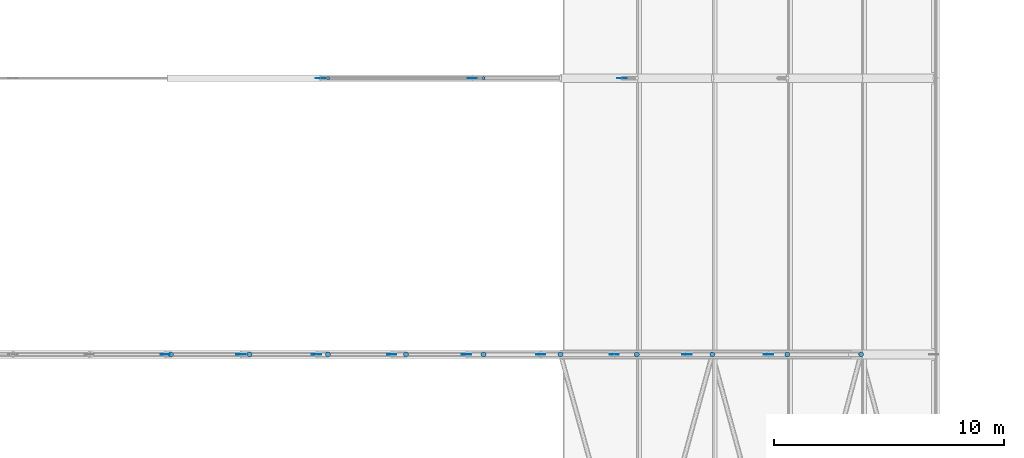
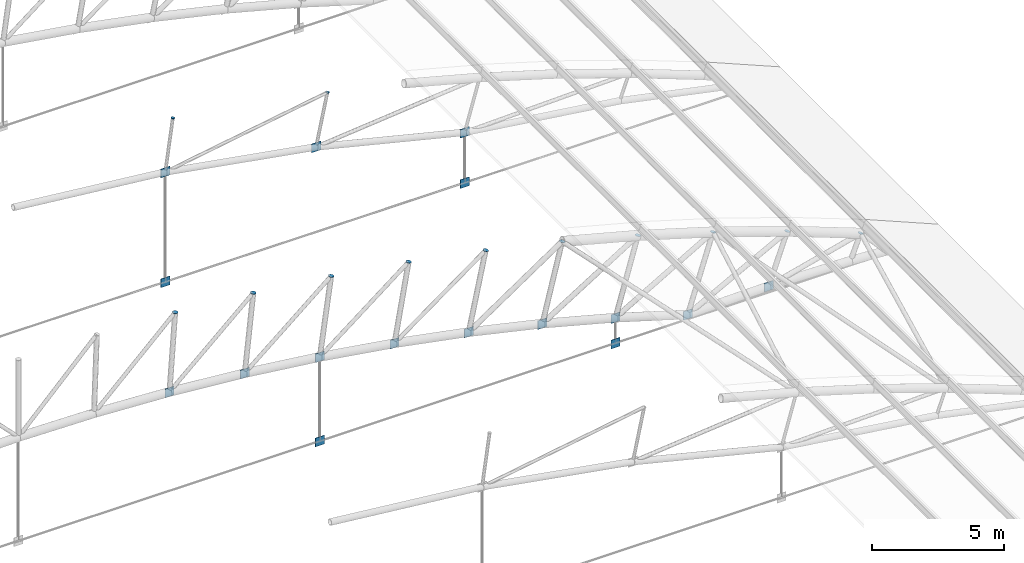
# One storey, part 277 of 321: 28 discrete accessories.
"""IFC4 building model written with IfcOpenShell, lengths in metres."""

from ifc_helpers import new_model, si_unit, direction, frame, origin, origin_2d, place, context, subcontext, project, spatial, rectangle, circle, extrude, material, material_profile, profile_set, type_object, element, save


model = new_model("IFC4")

# Units and contexts
model_context = context("Model", 3, precision=1e-05, world=origin(), true_north=direction((0.0, 1.0)))
body_context = subcontext(model_context, "Body", "Model", "MODEL_VIEW")
ifc_project = project(units=[si_unit("LENGTHUNIT", "METRE"), si_unit("AREAUNIT", "SQUARE_METRE"), si_unit("VOLUMEUNIT", "CUBIC_METRE"), si_unit("PLANEANGLEUNIT", "RADIAN"), si_unit("MASSUNIT", "GRAM", prefix="KILO")], contexts=[model_context])

# Site, building, storey
site_placement = place(None, origin())
site = spatial("IfcSite", under=ifc_project, at=site_placement, CompositionType="ELEMENT")
building_placement = place(site_placement, origin())
building = spatial("IfcBuilding", under=site, at=building_placement, Name="Ravi Spectrum Wholesale Market", CompositionType="ELEMENT")
storey_placement = place(building_placement, frame((0.0, 0.0, 10.800048828125)))
storey = spatial("IfcBuildingStorey", under=building, at=storey_placement, Name="L02", CompositionType="ELEMENT", Elevation=10.800048828125)

# Discrete accessories
ifc_material_1 = material(Name="Steel S355", Category="steel")
ifc_material_profile_1 = material_profile(ifc_material_1, circle(Radius=0.06982421875, at=origin_2d()))
ifc_profile_set_1 = profile_set([ifc_material_profile_1], Name="Steel S355")
discrete_accessory_type_1 = type_object("IfcDiscreteAccessoryType", Name="End plate CHS 139.7x5", PredefinedType="BRACKET", material=ifc_profile_set_1)
for number, where, z_axis, x_axis, name in (
    (1, (83.681884765625, 90.0, 7.479736328125), (0.141421356237, 0.0, 0.989949493661), (0.0, 1.0, 0.0), "End plate"),
    (2, (90.44140625, 90.0, 6.30224609375), (0.203954254112, 0.0, 0.978980419738), (0.0, 1.0, 0.0), "End plate"),
):
    element("IfcDiscreteAccessory", number, at=place(storey_placement, frame(where, z_axis=z_axis, x_axis=x_axis)), inside=storey, type_object=discrete_accessory_type_1, Name=name, PredefinedType="BRACKET", context=body_context, shape_type="SweptSolid", body=[
        extrude(circle(Radius=0.06982421875, at=origin_2d()), origin(), (0.0, 0.0, 1.0), 0.011962890625),
    ])
ifc_material_2 = material(Name="Steel S355", Category="steel")
ifc_material_profile_2 = material_profile(ifc_material_2, circle(Radius=0.109619140625, at=origin_2d()))
ifc_profile_set_2 = profile_set([ifc_material_profile_2], Name="Steel S355")
discrete_accessory_type_2 = type_object("IfcDiscreteAccessoryType", Name="End plate CHS 219.1x8", PredefinedType="BRACKET", material=ifc_profile_set_2)
for number, where, z_axis, x_axis, name in (
    (3, (76.85546875, 78.0, 8.163330078125), (0.081362009455, 0.0, 0.996684615823), (0.0, 1.0, 0.0), "End plate"),
    (4, (80.273193359375, 78.0, 7.867919921875), (0.101513688013, 0.0, 0.994834142531), (0.0, 1.0, 0.0), "End plate"),
    (5, (83.678466796875, 78.0, 7.45458984375), (0.141421356237, 0.0, 0.989949493661), (0.0, 1.0, 0.0), "End plate"),
    (6, (87.0673828125, 78.0, 6.92431640625), (0.18428853505, 0.0, 0.982872186934), (0.0, 1.0, 0.0), "End plate"),
    (7, (90.436279296875, 78.0, 6.27734375), (0.203954254112, 0.0, 0.978980419738), (0.0, 1.0, 0.0), "End plate"),
    (8, (93.78076171875, 78.0, 5.514404296875), (0.223376156329, 0.0, 0.974732318528), (0.0, 1.0, 0.0), "End plate"),
):
    element("IfcDiscreteAccessory", number, at=place(storey_placement, frame(where, z_axis=z_axis, x_axis=x_axis)), inside=storey, type_object=discrete_accessory_type_2, Name=name, PredefinedType="BRACKET", context=body_context, shape_type="SweptSolid", body=[
        extrude(circle(Radius=0.109619140625, at=origin_2d()), origin(), (0.0, 0.0, 1.0), 0.011962890625),
    ])
discrete_accessory_1_placement = place(storey_placement, frame((97.096923828125, 78.0, 4.63671875), z_axis=(0.261415475728, 0.0, 0.96522637192), x_axis=(0.0, 1.0, 0.0)))
element("IfcDiscreteAccessory", 9, at=discrete_accessory_1_placement, inside=storey, type_object=discrete_accessory_type_2, Name="End plate", PredefinedType="BRACKET", context=body_context, shape_type="SweptSolid", body=[
    extrude(circle(Radius=0.109619140625, at=origin_2d()), origin(), (0.0, 0.0, 1.0), 0.01220703125),
])
for number, where, z_axis, x_axis, name in (
    (10, (100.380615234375, 78.0, 3.645263671875), (0.304040173793, 0.0, 0.952659211219), (0.0, 1.0, 0.0), "End plate"),
    (11, (103.62841796875, 78.0, 2.541015625), (0.346650140872, 0.0, 0.937994498829), (0.0, 1.0, 0.0), "End plate"),
    (12, (106.836181640625, 78.0, 1.325439453125), (0.364399348581, 0.0, 0.931242779706), (0.0, 1.0, 0.0), "End plate"),
):
    element("IfcDiscreteAccessory", number, at=place(storey_placement, frame(where, z_axis=z_axis, x_axis=x_axis)), inside=storey, type_object=discrete_accessory_type_2, Name=name, PredefinedType="BRACKET", context=body_context, shape_type="SweptSolid", body=[
        extrude(circle(Radius=0.109619140625, at=origin_2d()), origin(), (0.0, 0.0, 1.0), 0.011962890625),
    ])
ifc_material_3 = material(Name="Steel S355", Category="steel")
ifc_material_profile_3 = material_profile(ifc_material_3, rectangle(XDim=0.39990234375, YDim=0.02001953125, at=origin_2d()))
ifc_profile_set_3 = profile_set([ifc_material_profile_3], Name="Steel S355")
discrete_accessory_type_3 = type_object("IfcDiscreteAccessoryType", Name="Gusset plate 400x400x20", PredefinedType="BRACKET", material=ifc_profile_set_3)
discrete_accessory_2_placement = place(storey_placement, frame((76.607421875, 78.0, 4.371826171875), z_axis=(0.0, 0.0, 1.0), x_axis=(-1.0, 0.0, 0.0)))
element("IfcDiscreteAccessory", 13, at=discrete_accessory_2_placement, inside=storey, type_object=discrete_accessory_type_3, Name="Gusset plate", PredefinedType="BRACKET", context=body_context, shape_type="SweptSolid", body=[
    extrude(rectangle(XDim=0.39990234375, YDim=0.02001953125, at=origin_2d()), origin(), (0.0, 0.0, 1.0), 0.400146484375),
])
for number, where, z_axis, x_axis, name in (
    (14, (79.901123046875, 78.0, 4.087158203125), (0.0, 0.0, 1.0), (-1.0, 0.0, 0.0), "Gusset plate"),
    (15, (83.18310546875, 78.0, -0.199951171875), (0.0, 0.0, 1.0), (1.0, 0.0, 0.0), "Gusset plate"),
    (16, (83.18310546875, 78.0, 3.68896484375), (0.0, 0.0, 1.0), (-1.0, 0.0, 0.0), "Gusset plate"),
    (17, (83.351806640625, 90.0, -0.1767578125), (0.0, 0.0, 1.0), (1.0, 0.0, 0.0), "Gusset plate"),
):
    element("IfcDiscreteAccessory", number, at=place(storey_placement, frame(where, z_axis=z_axis, x_axis=x_axis)), inside=storey, type_object=discrete_accessory_type_3, Name=name, PredefinedType="BRACKET", context=body_context, shape_type="SweptSolid", body=[
        extrude(rectangle(XDim=0.39990234375, YDim=0.02001953125, at=origin_2d()), origin(), (0.0, 0.0, 1.0), 0.39990234375),
    ])
discrete_accessory_3_placement = place(storey_placement, frame((83.351806640625, 90.0, 4.902587890625), z_axis=(0.0, 0.0, 1.0), x_axis=(-1.0, 0.0, 0.0)))
element("IfcDiscreteAccessory", 18, at=discrete_accessory_3_placement, inside=storey, type_object=discrete_accessory_type_3, Name="Gusset plate", PredefinedType="BRACKET", context=body_context, shape_type="SweptSolid", body=[
    extrude(rectangle(XDim=0.39990234375, YDim=0.02001953125, at=origin_2d()), origin(), (0.0, 0.0, 1.0), 0.400146484375),
])
for number, where, z_axis, x_axis, name in (
    (19, (86.44970703125, 78.0, 3.177734375), (0.0, 0.0, 1.0), (-1.0, 0.0, 0.0), "Gusset plate"),
    (20, (89.6962890625, 78.0, 2.55419921875), (0.0, 0.0, 1.0), (-1.0, 0.0, 0.0), "Gusset plate"),
    (21, (89.9482421875, 90.0, 3.75341796875), (0.0, 0.0, 1.0), (-1.0, 0.0, 0.0), "Gusset plate"),
    (22, (92.919677734375, 78.0, 1.819091796875), (0.0, 0.0, 1.0), (-1.0, 0.0, 0.0), "Gusset plate"),
    (23, (96.11572265625, 78.0, -0.199951171875), (0.0, 0.0, 1.0), (1.0, 0.0, 0.0), "Gusset plate"),
    (24, (96.11572265625, 78.0, 0.97314453125), (0.0, 0.0, 1.0), (-1.0, 0.0, 0.0), "Gusset plate"),
    (25, (96.44970703125, 90.0, -0.1767578125), (0.0, 0.0, 1.0), (1.0, 0.0, 0.0), "Gusset plate"),
    (26, (96.44970703125, 90.0, 2.152099609375), (0.0, 0.0, 1.0), (-1.0, 0.0, 0.0), "Gusset plate"),
):
    element("IfcDiscreteAccessory", number, at=place(storey_placement, frame(where, z_axis=z_axis, x_axis=x_axis)), inside=storey, type_object=discrete_accessory_type_3, Name=name, PredefinedType="BRACKET", context=body_context, shape_type="SweptSolid", body=[
        extrude(rectangle(XDim=0.39990234375, YDim=0.02001953125, at=origin_2d()), origin(), (0.0, 0.0, 1.0), 0.39990234375),
    ])
discrete_accessory_4_placement = place(storey_placement, frame((99.28076171875, 78.0, 0.017333984375), z_axis=(0.0, 0.0, 1.0), x_axis=(-1.0, 0.0, 0.0)))
element("IfcDiscreteAccessory", 27, at=discrete_accessory_4_placement, inside=storey, type_object=discrete_accessory_type_3, Name="Gusset plate", PredefinedType="BRACKET", context=body_context, shape_type="SweptSolid", body=[
    extrude(rectangle(XDim=0.39990234375, YDim=0.02001953125, at=origin_2d()), origin(), (0.0, 0.0, 1.0), 0.400146484375),
])
discrete_accessory_5_placement = place(storey_placement, frame((102.81689453125, 78.0, 0.08251953125), z_axis=(0.0, 0.0, 1.0), x_axis=(-1.0, 0.0, 0.0)))
element("IfcDiscreteAccessory", 28, at=discrete_accessory_5_placement, inside=storey, type_object=discrete_accessory_type_3, Name="Gusset plate", PredefinedType="BRACKET", context=body_context, shape_type="SweptSolid", body=[
    extrude(rectangle(XDim=0.39990234375, YDim=0.02001953125, at=origin_2d()), origin(), (0.0, 0.0, 1.0), 0.39990234375),
])

save(model, "model.ifc")
